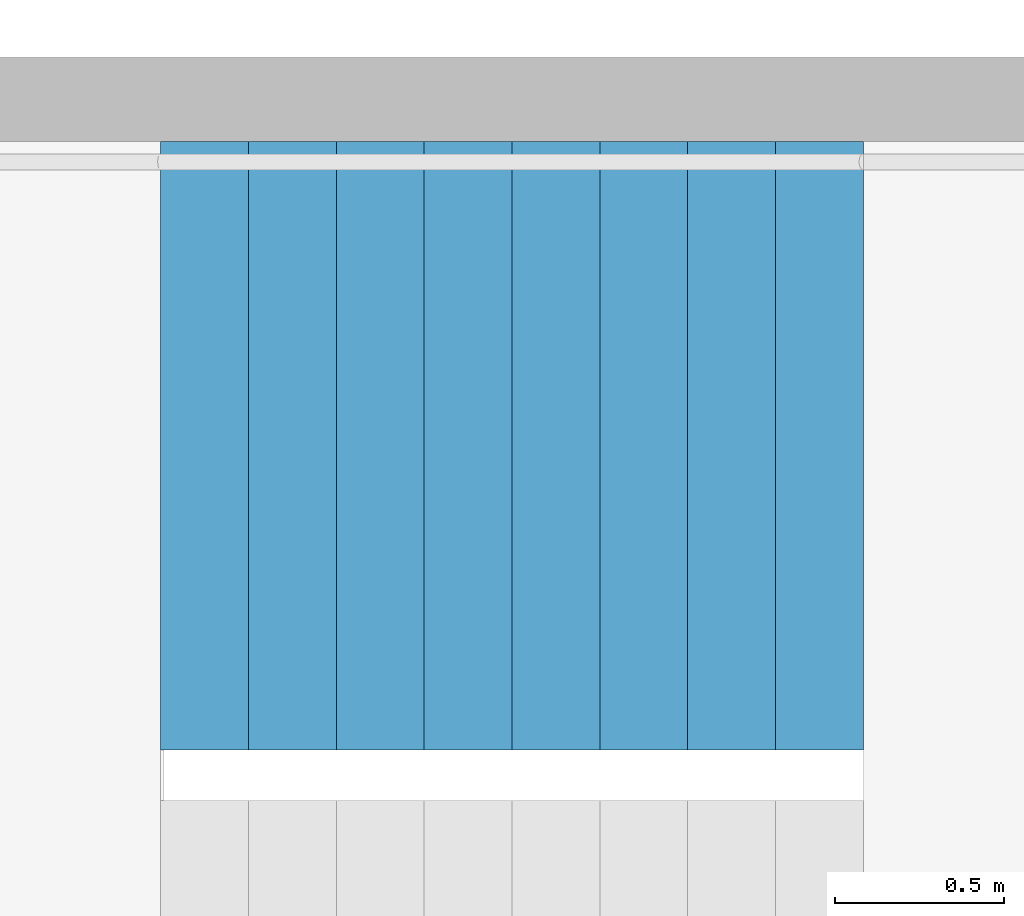
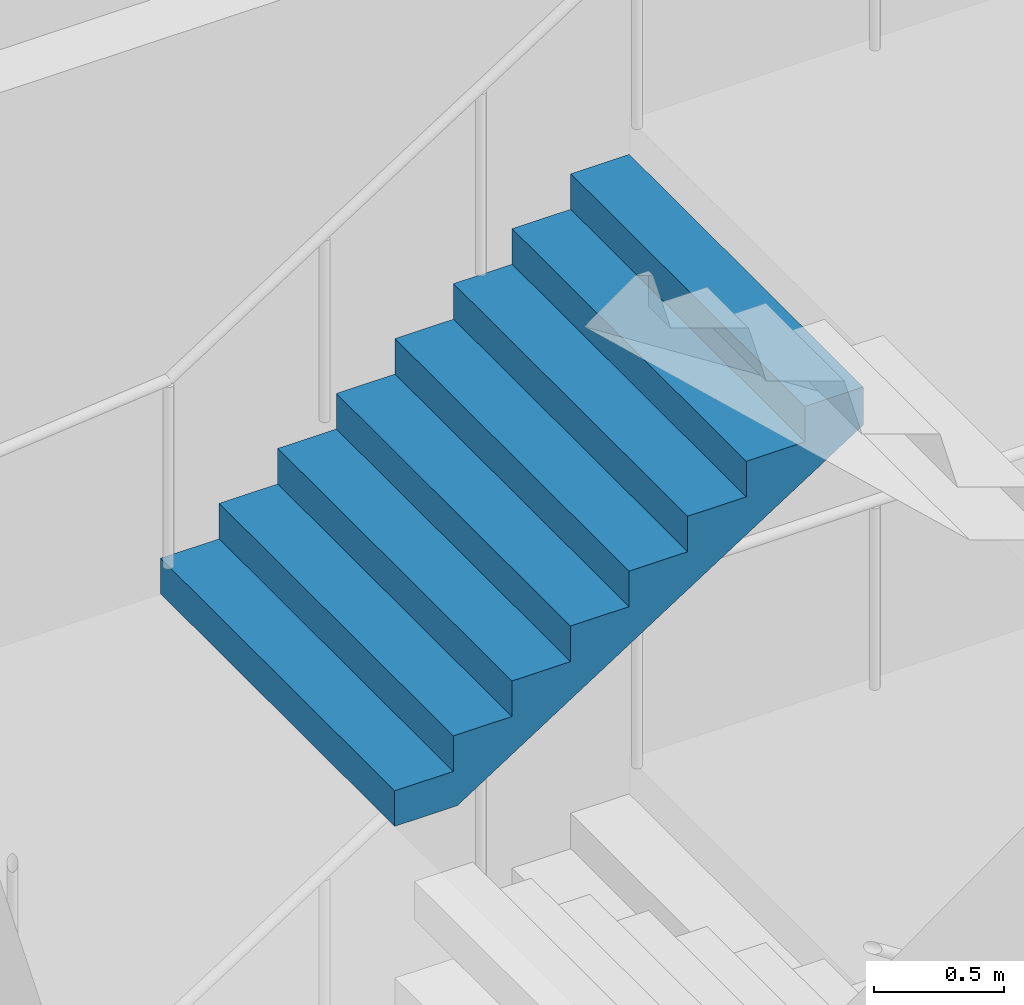
# One storey, part 65 of 100: 1 stair flight, 1 element without a shape of its own.
"""IFC4 building model written with IfcOpenShell, lengths in metres."""

import ifcopenshell
import ifcopenshell.guid

model = None  # the IFC model being written
_history = None  # IfcOwnerHistory: only IFC2X3 demands one
_inside = {}  # id of a spatial element -> (the spatial element, [elements in it])
_under = {}  # id of a project, library or spatial element -> (it, [spatial elements below it])
_declared = {}  # id of a project -> (the project, [libraries it declares])
_typed = {}  # id of a type object -> (the type object, [elements of that type])
_made_of = {}  # id of a material, layer set ... -> (it, [elements and type objects made of it])


def new_model(schema):
    """Start an empty IFC model of exactly this schema.

    Asked for "IFC4X3", IfcOpenShell would pick the latest addendum, in which some entities
    have other attributes; the version numbers below select the first issue.
    IFC2X3 requires an IfcOwnerHistory on every rooted entity: one is made here for all.
    """
    global model, _history
    if schema == "IFC4X3":
        model = ifcopenshell.file(schema_version=(4, 3, 0, 0))
    else:
        model = ifcopenshell.file(schema=schema)
    _inside.clear()
    _under.clear()
    _declared.clear()
    _typed.clear()
    _made_of.clear()
    _history = None
    if model.schema == "IFC2X3":
        org = make("IfcOrganization", Name="unknown")
        user = make(
            "IfcPersonAndOrganization",
            ThePerson=make("IfcPerson", FamilyName="unknown"),
            TheOrganization=org,
        )
        app = make(
            "IfcApplication",
            ApplicationDeveloper=org,
            Version="unknown",
            ApplicationFullName="unknown",
            ApplicationIdentifier="unknown",
        )
        _history = make(
            "IfcOwnerHistory",
            OwningUser=user,
            OwningApplication=app,
            ChangeAction="ADDED",
            CreationDate=0,
        )
    return model


def make(cls, **values):
    """One entity of the class cls with the attributes given. An attribute that is None is left unset."""
    return model.create_entity(
        cls, **{name: value for name, value in values.items() if value is not None}
    )


def rooted(cls, **values):
    """An entity with a GlobalId (a new one), such as an element, a storey or a relation."""
    return make(cls, GlobalId=ifcopenshell.guid.new(), OwnerHistory=_history, **values)


def si_unit(unit_type, name, prefix=None):
    """IfcSIUnit, for example si_unit("LENGTHUNIT", "METRE", prefix="MILLI")."""
    return make("IfcSIUnit", UnitType=unit_type, Prefix=prefix, Name=name)


def assignment(units):
    """IfcUnitAssignment: the units of a project."""
    return None if units is None else make("IfcUnitAssignment", Units=units)


def point(xyz):
    """IfcCartesianPoint."""
    return None if xyz is None else make("IfcCartesianPoint", Coordinates=xyz)


def direction(xyz):
    """IfcDirection."""
    return None if xyz is None else make("IfcDirection", DirectionRatios=xyz)


def frame(location, z_axis=None, x_axis=None):
    """IfcAxis2Placement3D, a coordinate frame: its origin and axes. An axis left out is left unset."""
    return make(
        "IfcAxis2Placement3D",
        Location=point(location),
        Axis=direction(z_axis),
        RefDirection=direction(x_axis),
    )


def origin():
    """The frame at (0, 0, 0) with its axes left unset."""
    return frame((0.0, 0.0, 0.0))


def place(relative_to, where):
    """IfcLocalPlacement: puts the frame where relative to a parent placement (None: the world)."""
    return make(
        "IfcLocalPlacement", PlacementRelTo=relative_to, RelativePlacement=where
    )


def context(
    kind, dimensions, precision=None, world=None, true_north=None, identifier=None
):
    """IfcGeometricRepresentationContext, for example the 3D "Model" context."""
    return make(
        "IfcGeometricRepresentationContext",
        ContextIdentifier=identifier,
        ContextType=kind,
        CoordinateSpaceDimension=dimensions,
        Precision=precision,
        WorldCoordinateSystem=world,
        TrueNorth=true_north,
    )


def subcontext(parent, identifier, kind, view, scale=None):
    """IfcGeometricRepresentationSubContext, for example "Body" below "Model"."""
    return make(
        "IfcGeometricRepresentationSubContext",
        ContextIdentifier=identifier,
        ContextType=kind,
        ParentContext=parent,
        TargetScale=scale,
        TargetView=view,
    )


def project(units=None, contexts=None):
    """IfcProject with its units and contexts."""
    return rooted(
        "IfcProject",
        Name="project",
        RepresentationContexts=contexts,
        UnitsInContext=assignment(units),
    )


def spatial(cls, under=None, at=None, **own):
    """A site, building, storey or space (cls), placed at a placement, below another one or the project."""
    s = rooted(cls, ObjectPlacement=at, **own)
    if under is not None:
        _under.setdefault(under.id(), (under, []))[1].append(s)
    return s


def point_list(points):
    """IfcCartesianPointList2D or 3D."""
    cls = (
        "IfcCartesianPointList2D" if len(points[0]) == 2 else "IfcCartesianPointList3D"
    )
    return make(cls, CoordList=points)


def triangles(points, corners, closed=None, point_numbers=None):
    """IfcTriangulatedFaceSet: each triangle names its three corners, points numbered from 1."""
    return make(
        "IfcTriangulatedFaceSet",
        Coordinates=point_list(points),
        Closed=closed,
        CoordIndex=corners,
        PnIndex=point_numbers,
    )


def shape(context_of_items, identifier, shape_type, items):
    """IfcShapeRepresentation: the items that make up one representation, for example the "Body"."""
    return make(
        "IfcShapeRepresentation",
        ContextOfItems=context_of_items,
        RepresentationIdentifier=identifier,
        RepresentationType=shape_type,
        Items=items,
    )


def material(Name=None, Category=None):
    """IfcMaterial."""
    return make("IfcMaterial", Name=Name, Category=Category)


def made_of(thing, what):
    """Note that an element or type object is made of a material, layer set ...; save() writes the relation."""
    if what is not None:
        _made_of.setdefault(what.id(), (what, []))[1].append(thing)
    return thing


def type_object(cls, material=None, **own):
    """A type object (cls), such as IfcWallType, which elements share."""
    return made_of(rooted(cls, **own), material)


def element(
    cls,
    number,
    at=None,
    inside=None,
    cuts=None,
    type_object=None,
    material=None,
    context=None,
    identifier="Body",
    shape_type=None,
    held_by="IfcProductDefinitionShape",
    body=None,
    shapes=None,
    **own,
):
    """One element of the class cls, such as IfcWall. Its Tag is "e" and its number.

    at: its placement. inside: the storey or other place that contains it. cuts: it is an
    opening in that element (IfcRelVoidsElement). A single representation is given by context,
    identifier, shape_type and body (its items); several are given by shapes. held_by: the class
    of the entity that holds the representations. save() writes the other relations.
    """
    e = rooted(cls, Tag="e%d" % number, ObjectPlacement=at, **own)
    if body is not None:
        shapes = [shape(context, identifier, shape_type, body)]
    if shapes is not None:
        e.Representation = make(held_by, Representations=shapes)
    if inside is not None:
        _inside.setdefault(inside.id(), (inside, []))[1].append(e)
    if cuts is not None:
        rooted(
            "IfcRelVoidsElement", RelatingBuildingElement=cuts, RelatedOpeningElement=e
        )
    if type_object is not None:
        _typed.setdefault(type_object.id(), (type_object, []))[1].append(e)
    return made_of(e, material)


def aggregate(whole, parts):
    """IfcRelAggregates: a whole, such as a stair, and the parts it consists of."""
    return rooted("IfcRelAggregates", RelatingObject=whole, RelatedObjects=parts)


def save(model, path):
    """Write the relations noted so far, then the file.

    IfcRelAggregates (storeys below a building ...), IfcRelContainedInSpatialStructure (elements
    in a storey), IfcRelDefinesByType, IfcRelAssociatesMaterial and IfcRelDeclares: one each for
    every whole, place, type object, material and project.
    """
    for whole, parts in _under.values():
        aggregate(whole, parts)
    for where, things in _inside.values():
        rooted(
            "IfcRelContainedInSpatialStructure",
            RelatedElements=things,
            RelatingStructure=where,
        )
    for kind, things in _typed.values():
        rooted("IfcRelDefinesByType", RelatedObjects=things, RelatingType=kind)
    for what, things in _made_of.values():
        rooted("IfcRelAssociatesMaterial", RelatedObjects=things, RelatingMaterial=what)
    for by, libraries in _declared.values():
        rooted("IfcRelDeclares", RelatingContext=by, RelatedDefinitions=libraries)
    model.write(path)


model = new_model("IFC4")

# Units and contexts
model_context = context("Model", 3, precision=1e-05, world=origin(), true_north=direction((0.0, 1.0)))
body_context = subcontext(model_context, "Body", "Model", "MODEL_VIEW")
ifc_project = project(units=[si_unit("LENGTHUNIT", "METRE"), si_unit("AREAUNIT", "SQUARE_METRE"), si_unit("VOLUMEUNIT", "CUBIC_METRE"), si_unit("PLANEANGLEUNIT", "RADIAN"), si_unit("MASSUNIT", "GRAM", prefix="KILO")], contexts=[model_context])

# Site, building, storey
site_placement = place(None, origin())
site = spatial("IfcSite", under=ifc_project, at=site_placement, CompositionType="ELEMENT")
building_placement = place(site_placement, origin())
building = spatial("IfcBuilding", under=site, at=building_placement, Name="Hakoniwa Tower and Hamabe Station Hall", CompositionType="ELEMENT")
storey_placement = place(building_placement, frame((0.0, 0.0, 9.0)))
storey = spatial("IfcBuildingStorey", under=building, at=storey_placement, Name="L02", CompositionType="ELEMENT", Elevation=9.0)

# Stair, stair flight
ifc_material_1 = material(Name="Concrete C40", Category="concrete")
stair_type = type_object("IfcStairType", Name="ESCAPE STAIR 1800", PredefinedType="HALF_TURN_STAIR", material=ifc_material_1)
stair_placement = place(storey_placement, origin())
stair = element("IfcStair", 1, at=stair_placement, inside=storey, type_object=stair_type, Name="Escape stair ST-4 L02", PredefinedType="HALF_TURN_STAIR")
ifc_material_2 = material(Name="Concrete C40", Category="concrete")
stair_flight_type = type_object("IfcStairFlightType", Name="STAIR FLIGHT 1800", PredefinedType="STRAIGHT", material=ifc_material_2)
stair_flight_placement = place(storey_placement, frame((23.39990234375, -4.64990234375, 3.0), z_axis=(0.0, 0.0, 1.0), x_axis=(1.0, 0.0, 0.0)))
stair_flight = element("IfcStairFlight", 2, at=stair_flight_placement, type_object=stair_flight_type, Name="ST-4 flight 3", NumberOfRisers=9, NumberOfTreads=8, PredefinedType="STRAIGHT", RiserHeight=0.166666667, TreadLength=0.26, context=body_context, shape_type="Tessellation", body=[
    triangles([(0.0, 0.89990234375, 0.0), (0.260009765625, 0.89990234375, 0.0), (0.27783203125, 0.89990234375, 0.0), (0.52001953125, 0.89990234375, 0.1552734375), (0.780029296875, 0.89990234375, 0.322021484375), (1.0400390625, 0.89990234375, 0.488525390625), (1.300048828125, 0.89990234375, 0.6552734375), (1.56005859375, 0.89990234375, 0.822021484375), (1.820068359375, 0.89990234375, 0.988525390625), (2.080078125, 0.89990234375, 1.1552734375), (2.080078125, 0.89990234375, 1.333251953125), (1.820068359375, 0.89990234375, 1.333251953125), (1.820068359375, 0.89990234375, 1.166748046875), (1.56005859375, 0.89990234375, 1.166748046875), (1.56005859375, 0.89990234375, 1.0), (1.300048828125, 0.89990234375, 1.0), (1.300048828125, 0.89990234375, 0.833251953125), (1.0400390625, 0.89990234375, 0.833251953125), (1.0400390625, 0.89990234375, 0.666748046875), (0.780029296875, 0.89990234375, 0.666748046875), (0.780029296875, 0.89990234375, 0.5), (0.52001953125, 0.89990234375, 0.5), (0.52001953125, 0.89990234375, 0.333251953125), (0.27783203125, 0.89990234375, 0.333251953125), (0.260009765625, 0.89990234375, 0.333251953125), (0.260009765625, 0.89990234375, 0.166748046875), (0.0, 0.89990234375, 0.166748046875), (0.0, 0.06005859375, 0.0), (0.260009765625, 0.06005859375, 0.0), (0.27783203125, 0.06005859375, 0.0), (0.52001953125, 0.06005859375, 0.1552734375), (0.780029296875, 0.06005859375, 0.322021484375), (1.0400390625, 0.06005859375, 0.488525390625), (1.300048828125, 0.06005859375, 0.6552734375), (1.56005859375, 0.06005859375, 0.822021484375), (1.820068359375, 0.06005859375, 0.988525390625), (2.080078125, 0.06005859375, 1.1552734375), (2.080078125, 0.06005859375, 1.333251953125), (1.820068359375, 0.06005859375, 1.333251953125), (1.820068359375, 0.06005859375, 1.166748046875), (1.56005859375, 0.06005859375, 1.166748046875), (1.56005859375, 0.06005859375, 1.0), (1.300048828125, 0.06005859375, 1.0), (1.300048828125, 0.06005859375, 0.833251953125), (1.0400390625, 0.06005859375, 0.833251953125), (1.0400390625, 0.06005859375, 0.666748046875), (0.780029296875, 0.06005859375, 0.666748046875), (0.780029296875, 0.06005859375, 0.5), (0.52001953125, 0.06005859375, 0.5), (0.52001953125, 0.06005859375, 0.333251953125), (0.27783203125, 0.06005859375, 0.333251953125), (0.260009765625, 0.06005859375, 0.333251953125), (0.260009765625, 0.06005859375, 0.166748046875), (0.0, 0.06005859375, 0.166748046875), (0.0, 0.04296875, 0.0), (0.260009765625, 0.04296875, 0.0), (0.27783203125, 0.04296875, 0.0), (0.52001953125, 0.04296875, 0.1552734375), (0.780029296875, 0.04296875, 0.322021484375), (1.0400390625, 0.04296875, 0.488525390625), (1.300048828125, 0.04296875, 0.6552734375), (1.56005859375, 0.04296875, 0.822021484375), (1.820068359375, 0.04296875, 0.988525390625), (2.080078125, 0.04296875, 1.1552734375), (2.080078125, 0.04296875, 1.333251953125), (1.820068359375, 0.04296875, 1.333251953125), (1.820068359375, 0.04296875, 1.166748046875), (1.56005859375, 0.04296875, 1.166748046875), (1.56005859375, 0.04296875, 1.0), (1.300048828125, 0.04296875, 1.0), (1.300048828125, 0.04296875, 0.833251953125), (1.0400390625, 0.04296875, 0.833251953125), (1.0400390625, 0.04296875, 0.666748046875), (0.780029296875, 0.04296875, 0.666748046875), (0.780029296875, 0.04296875, 0.5), (0.52001953125, 0.04296875, 0.5), (0.52001953125, 0.04296875, 0.333251953125), (0.27783203125, 0.04296875, 0.333251953125), (0.260009765625, 0.04296875, 0.333251953125), (0.260009765625, 0.04296875, 0.166748046875), (0.0, 0.04296875, 0.166748046875), (0.0, 0.025634765625, 0.0), (0.260009765625, 0.025634765625, 0.0), (0.27783203125, 0.025634765625, 0.0), (0.52001953125, 0.025634765625, 0.1552734375), (0.780029296875, 0.025634765625, 0.322021484375), (1.0400390625, 0.025634765625, 0.488525390625), (1.300048828125, 0.025634765625, 0.6552734375), (1.56005859375, 0.025634765625, 0.822021484375), (1.820068359375, 0.025634765625, 0.988525390625), (2.080078125, 0.025634765625, 1.1552734375), (2.080078125, 0.025634765625, 1.333251953125), (1.820068359375, 0.025634765625, 1.333251953125), (1.820068359375, 0.025634765625, 1.166748046875), (1.56005859375, 0.025634765625, 1.166748046875), (1.56005859375, 0.025634765625, 1.0), (1.300048828125, 0.025634765625, 1.0), (1.300048828125, 0.025634765625, 0.833251953125), (1.0400390625, 0.025634765625, 0.833251953125), (1.0400390625, 0.025634765625, 0.666748046875), (0.780029296875, 0.025634765625, 0.666748046875), (0.780029296875, 0.025634765625, 0.5), (0.52001953125, 0.025634765625, 0.5), (0.52001953125, 0.025634765625, 0.333251953125), (0.27783203125, 0.025634765625, 0.333251953125), (0.260009765625, 0.025634765625, 0.333251953125), (0.260009765625, 0.025634765625, 0.166748046875), (0.0, 0.025634765625, 0.166748046875), (0.0, 0.008544921875, 0.0), (0.260009765625, 0.008544921875, 0.0), (0.27783203125, 0.008544921875, 0.0), (0.52001953125, 0.008544921875, 0.1552734375), (0.780029296875, 0.008544921875, 0.322021484375), (1.0400390625, 0.008544921875, 0.488525390625), (1.300048828125, 0.008544921875, 0.6552734375), (1.56005859375, 0.008544921875, 0.822021484375), (1.820068359375, 0.008544921875, 0.988525390625), (2.080078125, 0.008544921875, 1.1552734375), (2.080078125, 0.008544921875, 1.333251953125), (1.820068359375, 0.008544921875, 1.333251953125), (1.820068359375, 0.008544921875, 1.166748046875), (1.56005859375, 0.008544921875, 1.166748046875), (1.56005859375, 0.008544921875, 1.0), (1.300048828125, 0.008544921875, 1.0), (1.300048828125, 0.008544921875, 0.833251953125), (1.0400390625, 0.008544921875, 0.833251953125), (1.0400390625, 0.008544921875, 0.666748046875), (0.780029296875, 0.008544921875, 0.666748046875), (0.780029296875, 0.008544921875, 0.5), (0.52001953125, 0.008544921875, 0.5), (0.52001953125, 0.008544921875, 0.333251953125), (0.27783203125, 0.008544921875, 0.333251953125), (0.260009765625, 0.008544921875, 0.333251953125), (0.260009765625, 0.008544921875, 0.166748046875), (0.0, 0.008544921875, 0.166748046875), (0.0, -0.008544921875, 0.0), (0.260009765625, -0.008544921875, 0.0), (0.27783203125, -0.008544921875, 0.0), (0.52001953125, -0.008544921875, 0.1552734375), (0.780029296875, -0.008544921875, 0.322021484375), (1.0400390625, -0.008544921875, 0.488525390625), (1.300048828125, -0.008544921875, 0.6552734375), (1.56005859375, -0.008544921875, 0.822021484375), (1.820068359375, -0.008544921875, 0.988525390625), (2.080078125, -0.008544921875, 1.1552734375), (2.080078125, -0.008544921875, 1.333251953125), (1.820068359375, -0.008544921875, 1.333251953125), (1.820068359375, -0.008544921875, 1.166748046875), (1.56005859375, -0.008544921875, 1.166748046875), (1.56005859375, -0.008544921875, 1.0), (1.300048828125, -0.008544921875, 1.0), (1.300048828125, -0.008544921875, 0.833251953125), (1.0400390625, -0.008544921875, 0.833251953125), (1.0400390625, -0.008544921875, 0.666748046875), (0.780029296875, -0.008544921875, 0.666748046875), (0.780029296875, -0.008544921875, 0.5), (0.52001953125, -0.008544921875, 0.5), (0.52001953125, -0.008544921875, 0.333251953125), (0.27783203125, -0.008544921875, 0.333251953125), (0.260009765625, -0.008544921875, 0.333251953125), (0.260009765625, -0.008544921875, 0.166748046875), (0.0, -0.008544921875, 0.166748046875), (0.0, -0.025634765625, 0.0), (0.260009765625, -0.025634765625, 0.0), (0.27783203125, -0.025634765625, 0.0), (0.52001953125, -0.025634765625, 0.1552734375), (0.780029296875, -0.025634765625, 0.322021484375), (1.0400390625, -0.025634765625, 0.488525390625), (1.300048828125, -0.025634765625, 0.6552734375), (1.56005859375, -0.025634765625, 0.822021484375), (1.820068359375, -0.025634765625, 0.988525390625), (2.080078125, -0.025634765625, 1.1552734375), (2.080078125, -0.025634765625, 1.333251953125), (1.820068359375, -0.025634765625, 1.333251953125), (1.820068359375, -0.025634765625, 1.166748046875), (1.56005859375, -0.025634765625, 1.166748046875), (1.56005859375, -0.025634765625, 1.0), (1.300048828125, -0.025634765625, 1.0), (1.300048828125, -0.025634765625, 0.833251953125), (1.0400390625, -0.025634765625, 0.833251953125), (1.0400390625, -0.025634765625, 0.666748046875), (0.780029296875, -0.025634765625, 0.666748046875), (0.780029296875, -0.025634765625, 0.5), (0.52001953125, -0.025634765625, 0.5), (0.52001953125, -0.025634765625, 0.333251953125), (0.27783203125, -0.025634765625, 0.333251953125), (0.260009765625, -0.025634765625, 0.333251953125), (0.260009765625, -0.025634765625, 0.166748046875), (0.0, -0.025634765625, 0.166748046875), (0.0, -0.04296875, 0.0), (0.260009765625, -0.04296875, 0.0), (0.27783203125, -0.04296875, 0.0), (0.52001953125, -0.04296875, 0.1552734375), (0.780029296875, -0.04296875, 0.322021484375), (1.0400390625, -0.04296875, 0.488525390625), (1.300048828125, -0.04296875, 0.6552734375), (1.56005859375, -0.04296875, 0.822021484375), (1.820068359375, -0.04296875, 0.988525390625), (2.080078125, -0.04296875, 1.1552734375), (2.080078125, -0.04296875, 1.333251953125), (1.820068359375, -0.04296875, 1.333251953125), (1.820068359375, -0.04296875, 1.166748046875), (1.56005859375, -0.04296875, 1.166748046875), (1.56005859375, -0.04296875, 1.0), (1.300048828125, -0.04296875, 1.0), (1.300048828125, -0.04296875, 0.833251953125), (1.0400390625, -0.04296875, 0.833251953125), (1.0400390625, -0.04296875, 0.666748046875), (0.780029296875, -0.04296875, 0.666748046875), (0.780029296875, -0.04296875, 0.5), (0.52001953125, -0.04296875, 0.5), (0.52001953125, -0.04296875, 0.333251953125), (0.27783203125, -0.04296875, 0.333251953125), (0.260009765625, -0.04296875, 0.333251953125), (0.260009765625, -0.04296875, 0.166748046875), (0.0, -0.04296875, 0.166748046875), (0.0, -0.06005859375, 0.0), (0.260009765625, -0.06005859375, 0.0), (0.27783203125, -0.06005859375, 0.0), (0.52001953125, -0.06005859375, 0.1552734375), (0.780029296875, -0.06005859375, 0.322021484375), (1.0400390625, -0.06005859375, 0.488525390625), (1.300048828125, -0.06005859375, 0.6552734375), (1.56005859375, -0.06005859375, 0.822021484375), (1.820068359375, -0.06005859375, 0.988525390625), (2.080078125, -0.06005859375, 1.1552734375), (2.080078125, -0.06005859375, 1.333251953125), (1.820068359375, -0.06005859375, 1.333251953125), (1.820068359375, -0.06005859375, 1.166748046875), (1.56005859375, -0.06005859375, 1.166748046875), (1.56005859375, -0.06005859375, 1.0), (1.300048828125, -0.06005859375, 1.0), (1.300048828125, -0.06005859375, 0.833251953125), (1.0400390625, -0.06005859375, 0.833251953125), (1.0400390625, -0.06005859375, 0.666748046875), (0.780029296875, -0.06005859375, 0.666748046875), (0.780029296875, -0.06005859375, 0.5), (0.52001953125, -0.06005859375, 0.5), (0.52001953125, -0.06005859375, 0.333251953125), (0.27783203125, -0.06005859375, 0.333251953125), (0.260009765625, -0.06005859375, 0.333251953125), (0.260009765625, -0.06005859375, 0.166748046875), (0.0, -0.06005859375, 0.166748046875), (0.0, -0.89990234375, 0.0), (0.260009765625, -0.89990234375, 0.0), (0.27783203125, -0.89990234375, 0.0), (0.52001953125, -0.89990234375, 0.1552734375), (0.780029296875, -0.89990234375, 0.322021484375), (1.0400390625, -0.89990234375, 0.488525390625), (1.300048828125, -0.89990234375, 0.6552734375), (1.56005859375, -0.89990234375, 0.822021484375), (1.820068359375, -0.89990234375, 0.988525390625), (2.080078125, -0.89990234375, 1.1552734375), (2.080078125, -0.89990234375, 1.333251953125), (1.820068359375, -0.89990234375, 1.333251953125), (1.820068359375, -0.89990234375, 1.166748046875), (1.56005859375, -0.89990234375, 1.166748046875), (1.56005859375, -0.89990234375, 1.0), (1.300048828125, -0.89990234375, 1.0), (1.300048828125, -0.89990234375, 0.833251953125), (1.0400390625, -0.89990234375, 0.833251953125), (1.0400390625, -0.89990234375, 0.666748046875), (0.780029296875, -0.89990234375, 0.666748046875), (0.780029296875, -0.89990234375, 0.5), (0.52001953125, -0.89990234375, 0.5), (0.52001953125, -0.89990234375, 0.333251953125), (0.27783203125, -0.89990234375, 0.333251953125), (0.260009765625, -0.89990234375, 0.333251953125), (0.260009765625, -0.89990234375, 0.166748046875), (0.0, -0.89990234375, 0.166748046875)], [[2, 27, 26], [245, 269, 270], [2, 1, 27], [245, 270, 244], [3, 25, 24], [246, 267, 268], [3, 26, 25], [246, 268, 269], [3, 2, 26], [246, 269, 245], [4, 24, 23], [247, 266, 267], [4, 3, 24], [247, 267, 246], [5, 22, 21], [248, 264, 265], [5, 23, 22], [248, 265, 266], [5, 4, 23], [248, 266, 247], [6, 20, 19], [249, 262, 263], [6, 21, 20], [249, 263, 264], [6, 5, 21], [249, 264, 248], [7, 18, 17], [250, 260, 261], [7, 19, 18], [250, 261, 262], [7, 6, 19], [250, 262, 249], [8, 16, 15], [251, 258, 259], [8, 17, 16], [251, 259, 260], [8, 7, 17], [251, 260, 250], [9, 14, 13], [252, 256, 257], [9, 15, 14], [252, 257, 258], [9, 8, 15], [252, 258, 251], [10, 12, 11], [253, 254, 255], [10, 13, 12], [253, 255, 256], [10, 9, 13], [253, 256, 252], [1, 2, 29], [1, 29, 28], [28, 29, 56], [28, 56, 55], [55, 56, 83], [55, 83, 82], [82, 83, 110], [82, 110, 109], [109, 110, 137], [109, 137, 136], [136, 137, 164], [136, 164, 163], [163, 164, 191], [163, 191, 190], [190, 191, 218], [190, 218, 217], [217, 218, 245], [217, 245, 244], [2, 3, 30], [2, 30, 29], [29, 30, 57], [29, 57, 56], [56, 57, 84], [56, 84, 83], [83, 84, 111], [83, 111, 110], [110, 111, 138], [110, 138, 137], [137, 138, 165], [137, 165, 164], [164, 165, 192], [164, 192, 191], [191, 192, 219], [191, 219, 218], [218, 219, 246], [218, 246, 245], [3, 4, 31], [3, 31, 30], [30, 31, 58], [30, 58, 57], [57, 58, 85], [57, 85, 84], [84, 85, 112], [84, 112, 111], [111, 112, 139], [111, 139, 138], [138, 139, 166], [138, 166, 165], [165, 166, 193], [165, 193, 192], [192, 193, 220], [192, 220, 219], [219, 220, 247], [219, 247, 246], [4, 5, 32], [4, 32, 31], [31, 32, 59], [31, 59, 58], [58, 59, 86], [58, 86, 85], [85, 86, 113], [85, 113, 112], [112, 113, 140], [112, 140, 139], [139, 140, 167], [139, 167, 166], [166, 167, 194], [166, 194, 193], [193, 194, 221], [193, 221, 220], [220, 221, 248], [220, 248, 247], [5, 6, 33], [5, 33, 32], [32, 33, 60], [32, 60, 59], [59, 60, 87], [59, 87, 86], [86, 87, 114], [86, 114, 113], [113, 114, 141], [113, 141, 140], [140, 141, 168], [140, 168, 167], [167, 168, 195], [167, 195, 194], [194, 195, 222], [194, 222, 221], [221, 222, 249], [221, 249, 248], [6, 7, 34], [6, 34, 33], [33, 34, 61], [33, 61, 60], [60, 61, 88], [60, 88, 87], [87, 88, 115], [87, 115, 114], [114, 115, 142], [114, 142, 141], [141, 142, 169], [141, 169, 168], [168, 169, 196], [168, 196, 195], [195, 196, 223], [195, 223, 222], [222, 223, 250], [222, 250, 249], [7, 8, 35], [7, 35, 34], [34, 35, 62], [34, 62, 61], [61, 62, 89], [61, 89, 88], [88, 89, 116], [88, 116, 115], [115, 116, 143], [115, 143, 142], [142, 143, 170], [142, 170, 169], [169, 170, 197], [169, 197, 196], [196, 197, 224], [196, 224, 223], [223, 224, 251], [223, 251, 250], [8, 9, 36], [8, 36, 35], [35, 36, 63], [35, 63, 62], [62, 63, 90], [62, 90, 89], [89, 90, 117], [89, 117, 116], [116, 117, 144], [116, 144, 143], [143, 144, 171], [143, 171, 170], [170, 171, 198], [170, 198, 197], [197, 198, 225], [197, 225, 224], [224, 225, 252], [224, 252, 251], [9, 10, 37], [9, 37, 36], [36, 37, 64], [36, 64, 63], [63, 64, 91], [63, 91, 90], [90, 91, 118], [90, 118, 117], [117, 118, 145], [117, 145, 144], [144, 145, 172], [144, 172, 171], [171, 172, 199], [171, 199, 198], [198, 199, 226], [198, 226, 225], [225, 226, 253], [225, 253, 252], [10, 11, 38], [10, 38, 37], [37, 38, 65], [37, 65, 64], [64, 65, 92], [64, 92, 91], [91, 92, 119], [91, 119, 118], [118, 119, 146], [118, 146, 145], [145, 146, 173], [145, 173, 172], [172, 173, 200], [172, 200, 199], [199, 200, 227], [199, 227, 226], [226, 227, 254], [226, 254, 253], [11, 12, 39], [11, 39, 38], [38, 39, 66], [38, 66, 65], [65, 66, 93], [65, 93, 92], [92, 93, 120], [92, 120, 119], [119, 120, 147], [119, 147, 146], [146, 147, 174], [146, 174, 173], [173, 174, 201], [173, 201, 200], [200, 201, 228], [200, 228, 227], [227, 228, 255], [227, 255, 254], [12, 13, 40], [12, 40, 39], [39, 40, 67], [39, 67, 66], [66, 67, 94], [66, 94, 93], [93, 94, 121], [93, 121, 120], [120, 121, 148], [120, 148, 147], [147, 148, 175], [147, 175, 174], [174, 175, 202], [174, 202, 201], [201, 202, 229], [201, 229, 228], [228, 229, 256], [228, 256, 255], [13, 14, 41], [13, 41, 40], [40, 41, 68], [40, 68, 67], [67, 68, 95], [67, 95, 94], [94, 95, 122], [94, 122, 121], [121, 122, 149], [121, 149, 148], [148, 149, 176], [148, 176, 175], [175, 176, 203], [175, 203, 202], [202, 203, 230], [202, 230, 229], [229, 230, 257], [229, 257, 256], [14, 15, 42], [14, 42, 41], [41, 42, 69], [41, 69, 68], [68, 69, 96], [68, 96, 95], [95, 96, 123], [95, 123, 122], [122, 123, 150], [122, 150, 149], [149, 150, 177], [149, 177, 176], [176, 177, 204], [176, 204, 203], [203, 204, 231], [203, 231, 230], [230, 231, 258], [230, 258, 257], [15, 16, 43], [15, 43, 42], [42, 43, 70], [42, 70, 69], [69, 70, 97], [69, 97, 96], [96, 97, 124], [96, 124, 123], [123, 124, 151], [123, 151, 150], [150, 151, 178], [150, 178, 177], [177, 178, 205], [177, 205, 204], [204, 205, 232], [204, 232, 231], [231, 232, 259], [231, 259, 258], [16, 17, 44], [16, 44, 43], [43, 44, 71], [43, 71, 70], [70, 71, 98], [70, 98, 97], [97, 98, 125], [97, 125, 124], [124, 125, 152], [124, 152, 151], [151, 152, 179], [151, 179, 178], [178, 179, 206], [178, 206, 205], [205, 206, 233], [205, 233, 232], [232, 233, 260], [232, 260, 259], [17, 18, 45], [17, 45, 44], [44, 45, 72], [44, 72, 71], [71, 72, 99], [71, 99, 98], [98, 99, 126], [98, 126, 125], [125, 126, 153], [125, 153, 152], [152, 153, 180], [152, 180, 179], [179, 180, 207], [179, 207, 206], [206, 207, 234], [206, 234, 233], [233, 234, 261], [233, 261, 260], [18, 19, 46], [18, 46, 45], [45, 46, 73], [45, 73, 72], [72, 73, 100], [72, 100, 99], [99, 100, 127], [99, 127, 126], [126, 127, 154], [126, 154, 153], [153, 154, 181], [153, 181, 180], [180, 181, 208], [180, 208, 207], [207, 208, 235], [207, 235, 234], [234, 235, 262], [234, 262, 261], [19, 20, 47], [19, 47, 46], [46, 47, 74], [46, 74, 73], [73, 74, 101], [73, 101, 100], [100, 101, 128], [100, 128, 127], [127, 128, 155], [127, 155, 154], [154, 155, 182], [154, 182, 181], [181, 182, 209], [181, 209, 208], [208, 209, 236], [208, 236, 235], [235, 236, 263], [235, 263, 262], [20, 21, 48], [20, 48, 47], [47, 48, 75], [47, 75, 74], [74, 75, 102], [74, 102, 101], [101, 102, 129], [101, 129, 128], [128, 129, 156], [128, 156, 155], [155, 156, 183], [155, 183, 182], [182, 183, 210], [182, 210, 209], [209, 210, 237], [209, 237, 236], [236, 237, 264], [236, 264, 263], [21, 22, 49], [21, 49, 48], [48, 49, 76], [48, 76, 75], [75, 76, 103], [75, 103, 102], [102, 103, 130], [102, 130, 129], [129, 130, 157], [129, 157, 156], [156, 157, 184], [156, 184, 183], [183, 184, 211], [183, 211, 210], [210, 211, 238], [210, 238, 237], [237, 238, 265], [237, 265, 264], [22, 23, 50], [22, 50, 49], [49, 50, 77], [49, 77, 76], [76, 77, 104], [76, 104, 103], [103, 104, 131], [103, 131, 130], [130, 131, 158], [130, 158, 157], [157, 158, 185], [157, 185, 184], [184, 185, 212], [184, 212, 211], [211, 212, 239], [211, 239, 238], [238, 239, 266], [238, 266, 265], [23, 24, 51], [23, 51, 50], [50, 51, 78], [50, 78, 77], [77, 78, 105], [77, 105, 104], [104, 105, 132], [104, 132, 131], [131, 132, 159], [131, 159, 158], [158, 159, 186], [158, 186, 185], [185, 186, 213], [185, 213, 212], [212, 213, 240], [212, 240, 239], [239, 240, 267], [239, 267, 266], [24, 25, 52], [24, 52, 51], [51, 52, 79], [51, 79, 78], [78, 79, 106], [78, 106, 105], [105, 106, 133], [105, 133, 132], [132, 133, 160], [132, 160, 159], [159, 160, 187], [159, 187, 186], [186, 187, 214], [186, 214, 213], [213, 214, 241], [213, 241, 240], [240, 241, 268], [240, 268, 267], [25, 26, 53], [25, 53, 52], [52, 53, 80], [52, 80, 79], [79, 80, 107], [79, 107, 106], [106, 107, 134], [106, 134, 133], [133, 134, 161], [133, 161, 160], [160, 161, 188], [160, 188, 187], [187, 188, 215], [187, 215, 214], [214, 215, 242], [214, 242, 241], [241, 242, 269], [241, 269, 268], [26, 27, 54], [26, 54, 53], [53, 54, 81], [53, 81, 80], [80, 81, 108], [80, 108, 107], [107, 108, 135], [107, 135, 134], [134, 135, 162], [134, 162, 161], [161, 162, 189], [161, 189, 188], [188, 189, 216], [188, 216, 215], [215, 216, 243], [215, 243, 242], [242, 243, 270], [242, 270, 269], [27, 1, 28], [27, 28, 54], [54, 28, 55], [54, 55, 81], [81, 55, 82], [81, 82, 108], [108, 82, 109], [108, 109, 135], [135, 109, 136], [135, 136, 162], [162, 136, 163], [162, 163, 189], [189, 163, 190], [189, 190, 216], [216, 190, 217], [216, 217, 243], [243, 217, 244], [243, 244, 270]], closed=True),
])
aggregate(stair, [stair_flight])

save(model, "model.ifc")
